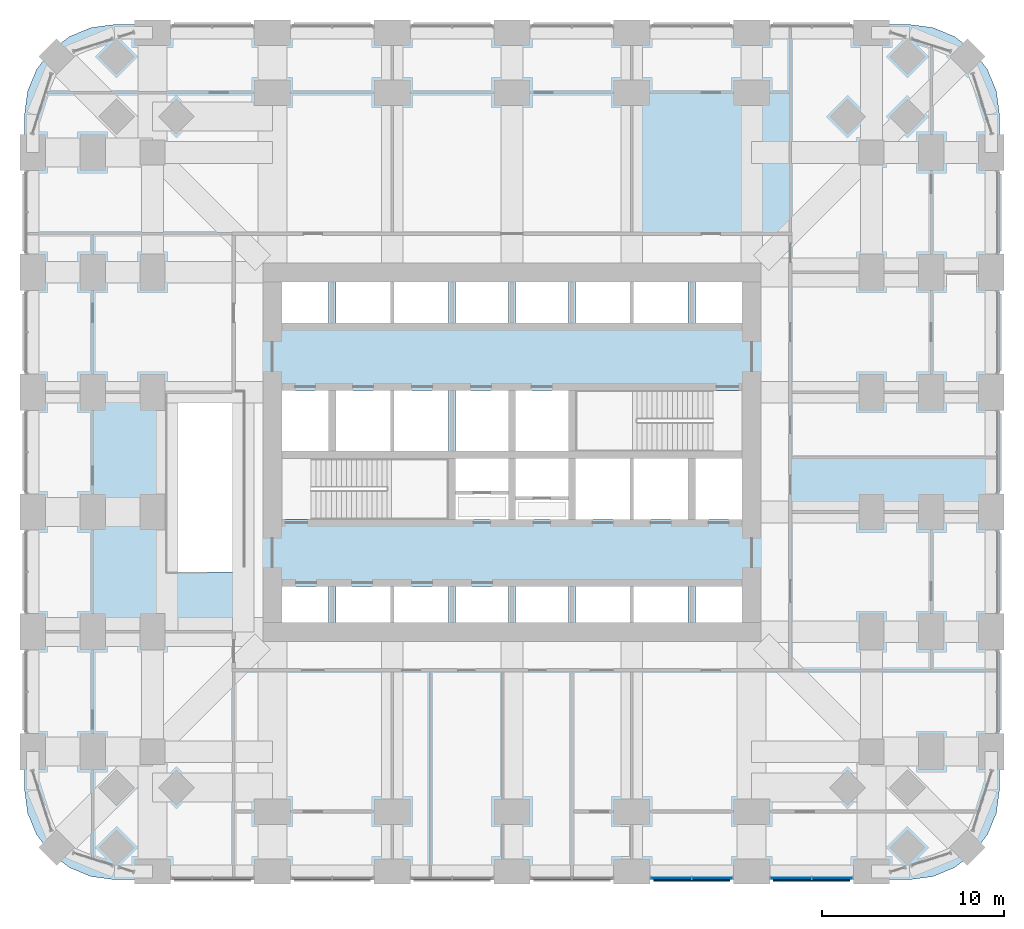
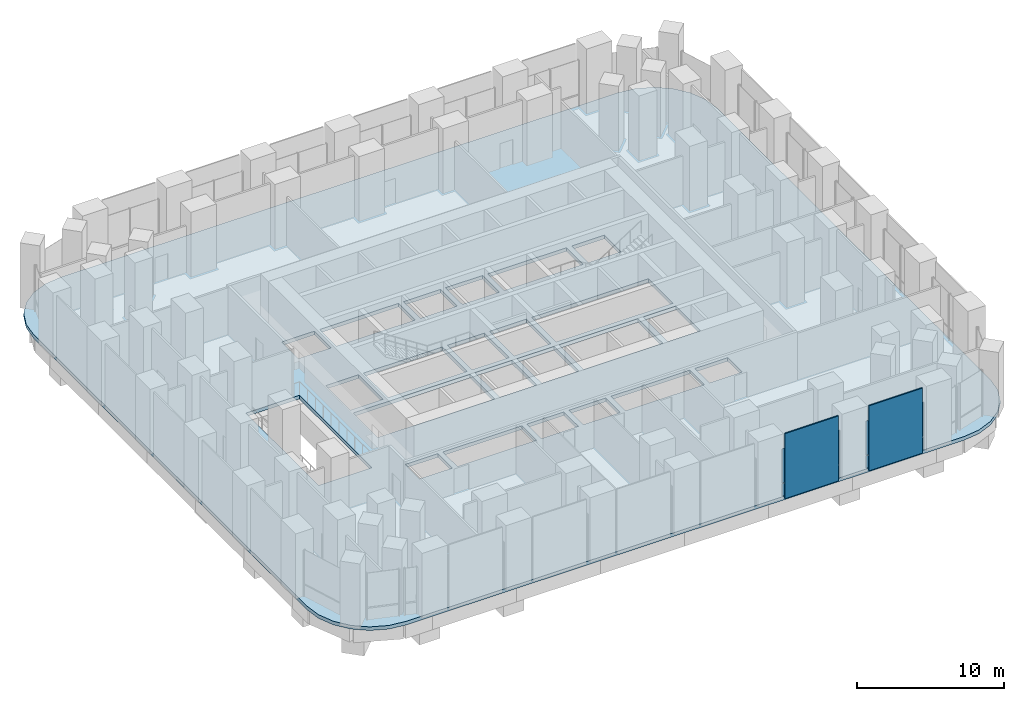
# One storey, part 8 of 17: 10 plates, 1 slab, 2 elements without a shape of their own.
"""IFC4 building model written with IfcOpenShell, lengths in metres."""

from ifc_helpers import new_model, si_unit, direction, frame, origin, origin_2d, place, context, subcontext, project, spatial, polyline, rectangle, outline, extrude, material, layer, layer_set, type_object, element, aggregate, save


model = new_model("IFC4")

# Units and contexts
model_context = context("Model", 3, precision=1e-05, world=origin(), true_north=direction((0.0, 1.0)))
body_context = subcontext(model_context, "Body", "Model", "MODEL_VIEW")
ifc_project = project(units=[si_unit("LENGTHUNIT", "METRE"), si_unit("AREAUNIT", "SQUARE_METRE"), si_unit("VOLUMEUNIT", "CUBIC_METRE"), si_unit("PLANEANGLEUNIT", "RADIAN"), si_unit("MASSUNIT", "GRAM", prefix="KILO")], contexts=[model_context])

# Site, building, storey
site_placement = place(None, origin())
site = spatial("IfcSite", under=ifc_project, at=site_placement, CompositionType="ELEMENT")
building_placement = place(site_placement, origin())
building = spatial("IfcBuilding", under=site, at=building_placement, Name="Cobogo Forest Laboratory Tower", CompositionType="ELEMENT")
storey_placement = place(building_placement, frame((0.0, 0.0, 7.199951171875)))
storey = spatial("IfcBuildingStorey", under=building, at=storey_placement, Name="L01", CompositionType="ELEMENT", Elevation=7.199951171875)

# Plates
ifc_material_1 = material(Name="Pierced concrete block", Category="concrete")
ifc_layer_1 = layer(ifc_material_1, 0.10009765625)
ifc_layer_set_1 = layer_set([ifc_layer_1], Name="CO1 cobogo block screen 100")
plate_type_1 = type_object("IfcPlateType", Name="CO1 cobogo block screen 100", PredefinedType="USERDEFINED", material=ifc_layer_set_1)
for number, where, z_axis, x_axis, name in (
    (1, (36.300048828125, -0.5, -0.14990234375), (0.0, 0.0, 1.0), (1.0, 0.0, 0.0), "Cobogo screen S5 L01"),
    (2, (42.89990234375, -0.5, -0.14990234375), (0.0, 0.0, 1.0), (1.0, 0.0, 0.0), "Cobogo screen S6 L01"),
):
    element("IfcPlate", number, at=place(storey_placement, frame(where, z_axis=z_axis, x_axis=x_axis)), inside=storey, type_object=plate_type_1, Name=name, ObjectType="COBOGO SCREEN", PredefinedType="USERDEFINED", context=body_context, shape_type="SweptSolid", body=[
        extrude(rectangle(XDim=4.199951171875, YDim=0.10009765625, at=origin_2d()), origin(), (0.0, 0.0, 1.0), 5.39990234375),
    ])

# Slab
ifc_material_2 = material(Name="Concrete HA-40 (C40/50)", Category="concrete")
ifc_layer_2 = layer(ifc_material_2, 0.300048828125)
ifc_layer_set_2 = layer_set([ifc_layer_2], Name="Floor slab 300")
slab_type = type_object("IfcSlabType", Name="Floor slab 300", PredefinedType="FLOOR", material=ifc_layer_set_2)
slab_placement = place(storey_placement, frame((0.0, 0.0, -0.300048828125)))
element("IfcSlab", 3, at=slab_placement, inside=storey, type_object=slab_type, Name="L01 floor slab", PredefinedType="FLOOR", context=body_context, shape_type="SweptSolid", body=[
    extrude(outline(polyline([(48.300048828125, -0.449951171875), (49.5810546875, -0.28125), (50.77490234375, 0.213134765625), (51.80029296875, 0.999755859375), (52.5869140625, 2.02490234375), (53.081298828125, 3.21875), (53.25, 4.5), (53.25, 41.699951171875), (53.081298828125, 42.981201171875), (52.5869140625, 44.175048828125), (51.80029296875, 45.2001953125), (50.77490234375, 45.98681640625), (49.5810546875, 46.4814453125), (48.300048828125, 46.64990234375), (4.5, 46.64990234375), (3.21875, 46.4814453125), (2.02490234375, 45.98681640625), (0.999755859375, 45.2001953125), (0.213134765625, 44.175048828125), (-0.28125, 42.981201171875), (-0.449951171875, 41.699951171875), (-0.449951171875, 4.5), (-0.28125, 3.21875), (0.213134765625, 2.02490234375), (0.999755859375, 0.999755859375), (2.02490234375, 0.213134765625), (3.21875, -0.28125), (4.5, -0.449951171875), (48.300048828125, -0.449951171875)]), holes=[polyline([(16.300048828125, 13.72509765625), (13.72509765625, 13.72509765625), (13.72509765625, 15.699951171875), (16.300048828125, 15.699951171875), (16.300048828125, 13.72509765625)]), polyline([(22.89990234375, 15.699951171875), (22.89990234375, 13.72509765625), (16.699951171875, 13.72509765625), (16.699951171875, 15.699951171875), (22.89990234375, 15.699951171875)]), polyline([(23.300048828125, 13.72509765625), (23.300048828125, 15.699951171875), (26.199951171875, 15.699951171875), (26.199951171875, 13.72509765625), (23.300048828125, 13.72509765625)]), polyline([(26.60009765625, 13.72509765625), (26.60009765625, 15.699951171875), (29.5, 15.699951171875), (29.5, 13.72509765625), (26.60009765625, 13.72509765625)]), polyline([(36.10009765625, 15.699951171875), (36.10009765625, 13.72509765625), (29.89990234375, 13.72509765625), (29.89990234375, 15.699951171875), (36.10009765625, 15.699951171875)]), polyline([(36.5, 13.72509765625), (36.5, 15.699951171875), (39.074951171875, 15.699951171875), (39.074951171875, 13.72509765625), (36.5, 13.72509765625)]), polyline([(7.39990234375, 16.5), (7.39990234375, 26.39990234375), (11.60009765625, 26.39990234375), (11.60009765625, 16.5), (7.39990234375, 16.5)]), polyline([(13.72509765625, 19.39990234375), (13.72509765625, 22.75), (22.89990234375, 22.75), (22.89990234375, 19.39990234375), (13.72509765625, 19.39990234375)]), polyline([(23.300048828125, 19.39990234375), (23.300048828125, 22.75), (26.199951171875, 22.75), (26.199951171875, 19.39990234375), (23.300048828125, 19.39990234375)]), polyline([(26.60009765625, 19.39990234375), (26.60009765625, 22.75), (29.5, 22.75), (29.5, 19.39990234375), (26.60009765625, 19.39990234375)]), polyline([(29.89990234375, 19.39990234375), (29.89990234375, 22.75), (36.10009765625, 22.75), (36.10009765625, 19.39990234375), (29.89990234375, 19.39990234375)]), polyline([(36.5, 19.39990234375), (36.5, 22.75), (39.074951171875, 22.75), (39.074951171875, 19.39990234375), (36.5, 19.39990234375)]), polyline([(16.300048828125, 23.14990234375), (13.72509765625, 23.14990234375), (13.72509765625, 26.5), (16.300048828125, 26.5), (16.300048828125, 23.14990234375)]), polyline([(22.89990234375, 26.5), (22.89990234375, 23.14990234375), (16.699951171875, 23.14990234375), (16.699951171875, 26.5), (22.89990234375, 26.5)]), polyline([(23.300048828125, 23.14990234375), (23.300048828125, 26.5), (26.199951171875, 26.5), (26.199951171875, 23.14990234375), (23.300048828125, 23.14990234375)]), polyline([(26.60009765625, 23.14990234375), (26.60009765625, 26.5), (29.5, 26.5), (29.5, 23.14990234375), (26.60009765625, 23.14990234375)]), polyline([(29.89990234375, 23.14990234375), (29.89990234375, 26.5), (39.074951171875, 26.5), (39.074951171875, 23.14990234375), (29.89990234375, 23.14990234375)]), polyline([(13.72509765625, 30.199951171875), (13.72509765625, 32.47509765625), (16.300048828125, 32.47509765625), (16.300048828125, 30.199951171875), (13.72509765625, 30.199951171875)]), polyline([(22.89990234375, 32.47509765625), (22.89990234375, 30.199951171875), (16.699951171875, 30.199951171875), (16.699951171875, 32.47509765625), (22.89990234375, 32.47509765625)]), polyline([(26.199951171875, 30.199951171875), (23.300048828125, 30.199951171875), (23.300048828125, 32.47509765625), (26.199951171875, 32.47509765625), (26.199951171875, 30.199951171875)]), polyline([(26.60009765625, 30.199951171875), (26.60009765625, 32.47509765625), (29.5, 32.47509765625), (29.5, 30.199951171875), (26.60009765625, 30.199951171875)]), polyline([(36.10009765625, 32.47509765625), (36.10009765625, 30.199951171875), (29.89990234375, 30.199951171875), (29.89990234375, 32.47509765625), (36.10009765625, 32.47509765625)]), polyline([(36.5, 30.199951171875), (36.5, 32.47509765625), (39.074951171875, 32.47509765625), (39.074951171875, 30.199951171875), (36.5, 30.199951171875)])]), origin(), (0.0, 0.0, 1.0), 0.300048828125),
])

# Curtain wall, plates
ifc_material_3 = material(Name="Aluminium curtain wall", Category="aluminium")
curtain_wall_type = type_object("IfcCurtainWallType", Name="CW-K stick curtain wall, podium laboratories", PredefinedType="USERDEFINED", material=ifc_material_3)
curtain_wall_1_placement = place(storey_placement, origin())
curtain_wall_1 = element("IfcCurtainWall", 4, at=curtain_wall_1_placement, inside=storey, type_object=curtain_wall_type, Name="Curtain wall 05 L01", ObjectType="STICK CURTAIN WALL", PredefinedType="USERDEFINED")
ifc_material_4 = material(Name="Clear insulated glass", Category="glass")
ifc_layer_3 = layer(ifc_material_4, 0.028076171875)
ifc_layer_set_3 = layer_set([ifc_layer_3], Name="GP-1 clear insulated glass unit 28")
plate_type_2 = type_object("IfcPlateType", Name="GP-1 clear insulated glass unit 28", PredefinedType="CURTAIN_PANEL", material=ifc_layer_set_3)
plate_1_placement = place(storey_placement, frame((35.1650390625, -0.35009765625, 0.0), z_axis=(0.0, 0.0, 1.0), x_axis=(1.0, 0.0, 0.0)))
plate_1 = element("IfcPlate", 5, at=plate_1_placement, type_object=plate_type_2, Name="CW-K panel 1.1", PredefinedType="CURTAIN_PANEL", context=body_context, shape_type="SweptSolid", body=[
    extrude(rectangle(XDim=2.2099609375, YDim=0.028076171875, at=origin_2d()), origin(), (0.0, 0.0, 1.0), 1.02001953125),
])
plate_2_placement = place(storey_placement, frame((35.1650390625, -0.35009765625, 1.080078125), z_axis=(0.0, 0.0, 1.0), x_axis=(1.0, 0.0, 0.0)))
plate_2 = element("IfcPlate", 6, at=plate_2_placement, type_object=plate_type_2, Name="CW-K panel 1.2", PredefinedType="CURTAIN_PANEL", context=body_context, shape_type="SweptSolid", body=[
    extrude(rectangle(XDim=2.2099609375, YDim=0.028076171875, at=origin_2d()), origin(), (0.0, 0.0, 1.0), 2.820068359375),
])
plate_3_placement = place(storey_placement, frame((37.43505859375, -0.35009765625, 0.0), z_axis=(0.0, 0.0, 1.0), x_axis=(1.0, 0.0, 0.0)))
plate_3 = element("IfcPlate", 7, at=plate_3_placement, type_object=plate_type_2, Name="CW-K panel 2.1", PredefinedType="CURTAIN_PANEL", context=body_context, shape_type="SweptSolid", body=[
    extrude(rectangle(XDim=2.2099609375, YDim=0.028076171875, at=origin_2d()), origin(), (0.0, 0.0, 1.0), 1.02001953125),
])
plate_4_placement = place(storey_placement, frame((37.43505859375, -0.35009765625, 1.080078125), z_axis=(0.0, 0.0, 1.0), x_axis=(1.0, 0.0, 0.0)))
plate_4 = element("IfcPlate", 8, at=plate_4_placement, type_object=plate_type_2, Name="CW-K panel 2.2", PredefinedType="CURTAIN_PANEL", context=body_context, shape_type="SweptSolid", body=[
    extrude(rectangle(XDim=2.2099609375, YDim=0.028076171875, at=origin_2d()), origin(), (0.0, 0.0, 1.0), 2.820068359375),
])
aggregate(curtain_wall_1, [plate_1, plate_2, plate_3, plate_4])

curtain_wall_2_placement = place(storey_placement, origin())
curtain_wall_2 = element("IfcCurtainWall", 9, at=curtain_wall_2_placement, inside=storey, type_object=curtain_wall_type, Name="Curtain wall 06 L01", ObjectType="STICK CURTAIN WALL", PredefinedType="USERDEFINED")
plate_5_placement = place(storey_placement, frame((41.764892578125, -0.35009765625, 0.0), z_axis=(0.0, 0.0, 1.0), x_axis=(1.0, 0.0, 0.0)))
plate_5 = element("IfcPlate", 10, at=plate_5_placement, type_object=plate_type_2, Name="CW-K panel 1.1", PredefinedType="CURTAIN_PANEL", context=body_context, shape_type="SweptSolid", body=[
    extrude(rectangle(XDim=2.2099609375, YDim=0.028076171875, at=origin_2d()), origin(), (0.0, 0.0, 1.0), 1.02001953125),
])
plate_6_placement = place(storey_placement, frame((41.764892578125, -0.35009765625, 1.080078125), z_axis=(0.0, 0.0, 1.0), x_axis=(1.0, 0.0, 0.0)))
plate_6 = element("IfcPlate", 11, at=plate_6_placement, type_object=plate_type_2, Name="CW-K panel 1.2", PredefinedType="CURTAIN_PANEL", context=body_context, shape_type="SweptSolid", body=[
    extrude(rectangle(XDim=2.2099609375, YDim=0.028076171875, at=origin_2d()), origin(), (0.0, 0.0, 1.0), 2.820068359375),
])
plate_7_placement = place(storey_placement, frame((44.034912109375, -0.35009765625, 0.0), z_axis=(0.0, 0.0, 1.0), x_axis=(1.0, 0.0, 0.0)))
plate_7 = element("IfcPlate", 12, at=plate_7_placement, type_object=plate_type_2, Name="CW-K panel 2.1", PredefinedType="CURTAIN_PANEL", context=body_context, shape_type="SweptSolid", body=[
    extrude(rectangle(XDim=2.2099609375, YDim=0.028076171875, at=origin_2d()), origin(), (0.0, 0.0, 1.0), 1.02001953125),
])
plate_8_placement = place(storey_placement, frame((44.034912109375, -0.35009765625, 1.080078125), z_axis=(0.0, 0.0, 1.0), x_axis=(1.0, 0.0, 0.0)))
plate_8 = element("IfcPlate", 13, at=plate_8_placement, type_object=plate_type_2, Name="CW-K panel 2.2", PredefinedType="CURTAIN_PANEL", context=body_context, shape_type="SweptSolid", body=[
    extrude(rectangle(XDim=2.2099609375, YDim=0.028076171875, at=origin_2d()), origin(), (0.0, 0.0, 1.0), 2.820068359375),
])
aggregate(curtain_wall_2, [plate_5, plate_6, plate_7, plate_8])

save(model, "model.ifc")
